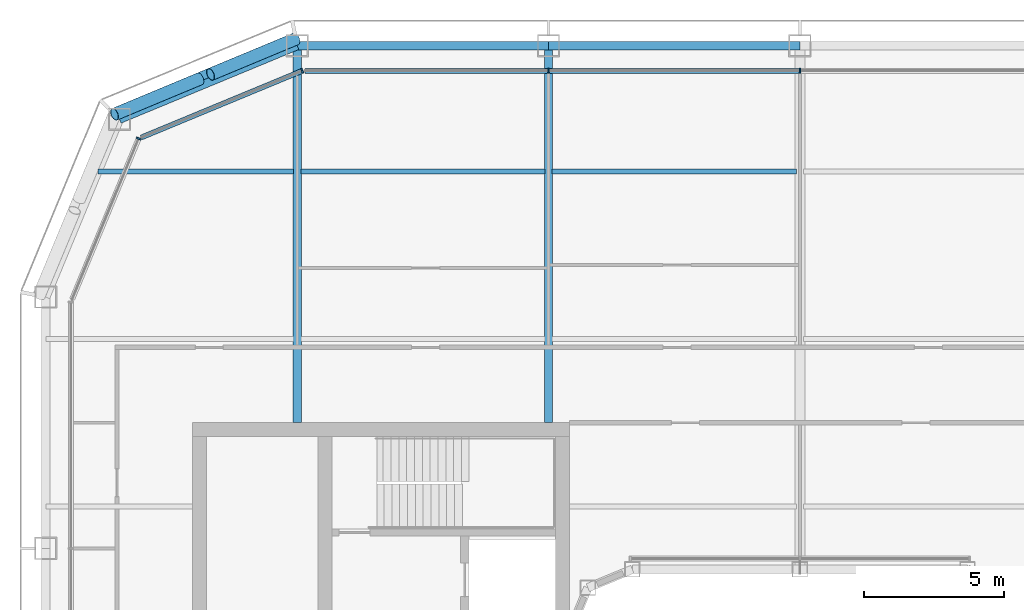
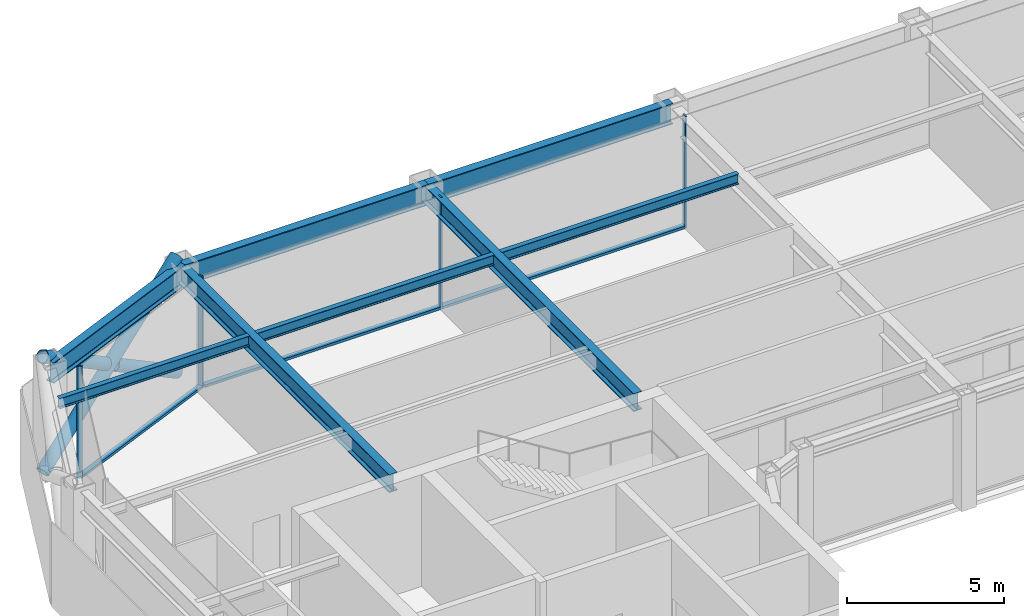
# One storey, part 8 of 19: 10 members, 8 beams, 3 elements without a shape of their own.
"""IFC4 building model written with IfcOpenShell, lengths in metres."""

from ifc_helpers import new_model, si_unit, direction, frame, origin, origin_2d, place, context, subcontext, project, spatial, rectangle, hollow_circle, i_section, extrude, material, layer, layer_set, material_profile, profile_set, type_object, element, aggregate, save


model = new_model("IFC4")

# Units and contexts
model_context = context("Model", 3, precision=1e-05, world=origin(), true_north=direction((0.0, 1.0)))
body_context = subcontext(model_context, "Body", "Model", "MODEL_VIEW")
ifc_project = project(units=[si_unit("LENGTHUNIT", "METRE"), si_unit("AREAUNIT", "SQUARE_METRE"), si_unit("VOLUMEUNIT", "CUBIC_METRE"), si_unit("PLANEANGLEUNIT", "RADIAN"), si_unit("MASSUNIT", "GRAM", prefix="KILO")], contexts=[model_context])

# Site, building, storey
site_placement = place(None, origin())
site = spatial("IfcSite", under=ifc_project, at=site_placement, CompositionType="ELEMENT")
building_placement = place(site_placement, origin())
building = spatial("IfcBuilding", under=site, at=building_placement, Name="Siwar Civic Tower", CompositionType="ELEMENT")
storey_placement = place(building_placement, frame((0.0, 0.0, 264.699951171875)))
storey = spatial("IfcBuildingStorey", under=building, at=storey_placement, Name="L57", CompositionType="ELEMENT", Elevation=264.699951171875)

# Curtain wall, members
ifc_material_1 = material(Name="Aluminium and glass", Category="aluminium")
ifc_layer_1 = layer(ifc_material_1, 0.179931640625)
ifc_layer_set_1 = layer_set([ifc_layer_1], Name="Aluminium and glass")
curtain_wall_type_1 = type_object("IfcCurtainWallType", Name="ENV-CW-C", PredefinedType="NOTDEFINED", material=ifc_layer_set_1)
curtain_wall_1_placement = place(storey_placement, origin())
curtain_wall_1 = element("IfcCurtainWall", 1, at=curtain_wall_1_placement, inside=storey, type_object=curtain_wall_type_1, Name="Curtain wall C N", PredefinedType="NOTDEFINED")
ifc_material_2 = material(Name="Aluminium 6063-T6", Category="aluminium")
ifc_material_profile_1 = material_profile(ifc_material_2, rectangle(XDim=0.179931640625, YDim=0.06005859375, at=origin_2d()), Name="AL 180x60")
ifc_profile_set_1 = profile_set([ifc_material_profile_1], Name="Aluminium 6063-T6")
member_type_1 = type_object("IfcMemberType", Name="ENV-MULLION-C", PredefinedType="MULLION", material=ifc_profile_set_1)
member_1_placement = place(storey_placement, frame((0.0, 26.10009765625, 0.0), z_axis=(0.0, 0.0, 1.0), x_axis=(0.0, -1.0, 0.0)))
member_1 = element("IfcMember", 2, at=member_1_placement, type_object=member_type_1, Name="Mullion C N 3", PredefinedType="MULLION", context=body_context, shape_type="SweptSolid", body=[
    extrude(rectangle(XDim=0.179931640625, YDim=0.06005859375, at=origin_2d()), origin(), (0.0, 0.0, 1.0), 4.35009765625),
])
member_2_placement = place(storey_placement, frame((-9.0, 26.10009765625, 0.0), z_axis=(0.0, 0.0, 1.0), x_axis=(0.0, -1.0, 0.0)))
member_2 = element("IfcMember", 3, at=member_2_placement, type_object=member_type_1, Name="Mullion C N 4", PredefinedType="MULLION", context=body_context, shape_type="SweptSolid", body=[
    extrude(rectangle(XDim=0.179931640625, YDim=0.06005859375, at=origin_2d()), origin(), (0.0, 0.0, 1.0), 4.35009765625),
])

# Curtain wall, member
ifc_material_3 = material(Name="Aluminium clad insulated panel", Category="aluminium")
ifc_layer_2 = layer(ifc_material_3, 0.179931640625)
ifc_layer_set_2 = layer_set([ifc_layer_2], Name="Aluminium clad insulated panel")
curtain_wall_type_2 = type_object("IfcCurtainWallType", Name="ENV-CW-CX", PredefinedType="NOTDEFINED", material=ifc_layer_set_2)
curtain_wall_2_placement = place(storey_placement, origin())
curtain_wall_2 = element("IfcCurtainWall", 4, at=curtain_wall_2_placement, inside=storey, type_object=curtain_wall_type_2, Name="Curtain wall C NW1", PredefinedType="NOTDEFINED")
member_3_placement = place(storey_placement, frame((-17.821044921875, 26.10009765625, 0.0), z_axis=(0.0, 0.0, 1.0), x_axis=(0.382683432365, -0.923879532511, 0.0)))
member_3 = element("IfcMember", 5, at=member_3_placement, type_object=member_type_1, Name="Mullion C NW1 1", PredefinedType="MULLION", context=body_context, shape_type="SweptSolid", body=[
    extrude(rectangle(XDim=0.179931640625, YDim=0.06005859375, at=origin_2d()), origin(), (0.0, 0.0, 1.0), 4.35009765625),
])

curtain_wall_3_placement = place(storey_placement, origin())
curtain_wall_3 = element("IfcCurtainWall", 6, at=curtain_wall_3_placement, inside=storey, type_object=curtain_wall_type_2, Name="Curtain wall C NW2", PredefinedType="NOTDEFINED")
member_4_placement = place(storey_placement, frame((-23.675048828125, 23.675048828125, 0.0), z_axis=(0.0, 0.0, 1.0), x_axis=(0.923879532511, -0.382683432365, 0.0)))
member_4 = element("IfcMember", 7, at=member_4_placement, type_object=member_type_1, Name="Mullion C NW2 1", PredefinedType="MULLION", context=body_context, shape_type="SweptSolid", body=[
    extrude(rectangle(XDim=0.179931640625, YDim=0.06005859375, at=origin_2d()), origin(), (0.0, 0.0, 1.0), 4.35009765625),
])
aggregate(curtain_wall_3, [member_4])

# Member
ifc_material_4 = material(Name="Aluminium 6063-T6", Category="aluminium")
ifc_material_profile_2 = material_profile(ifc_material_4, rectangle(XDim=0.179931640625, YDim=0.10009765625, at=origin_2d()), Name="AL 180x100")
ifc_profile_set_2 = profile_set([ifc_material_profile_2], Name="Aluminium 6063-T6")
member_type_2 = type_object("IfcMemberType", Name="ENV-TRANSOM-C", PredefinedType="USERDEFINED", material=ifc_profile_set_2)
member_5_placement = place(storey_placement, frame((-0.030029296875, 26.10009765625, 0.050048828125), z_axis=(-1.0, 0.0, 0.0), x_axis=(0.0, -1.0, 0.0)))
member_5 = element("IfcMember", 8, at=member_5_placement, type_object=member_type_2, Name="Transom C N 3", ObjectType="TRANSOM", PredefinedType="USERDEFINED", context=body_context, shape_type="SweptSolid", body=[
    extrude(rectangle(XDim=0.179931640625, YDim=0.10009765625, at=origin_2d()), origin(), (0.0, 0.0, 1.0), 8.93994140625),
])

member_6_placement = place(storey_placement, frame((-9.030029296875, 26.10009765625, 0.050048828125), z_axis=(-1.0, 0.0, 0.0), x_axis=(0.0, -1.0, 0.0)))
member_6 = element("IfcMember", 9, at=member_6_placement, type_object=member_type_2, Name="Transom C N 4", ObjectType="TRANSOM", PredefinedType="USERDEFINED", context=body_context, shape_type="SweptSolid", body=[
    extrude(rectangle(XDim=0.179931640625, YDim=0.10009765625, at=origin_2d()), origin(), (0.0, 0.0, 1.0), 8.68603515625),
])

aggregate(curtain_wall_1, [member_1, member_2, member_5, member_6])

member_7_placement = place(storey_placement, frame((-17.8486328125, 26.088623046875, 0.050048828125), z_axis=(-0.923882011223, -0.38267744817, 0.0), x_axis=(0.38267744817, -0.923882011223, 0.0)))
member_7 = element("IfcMember", 10, at=member_7_placement, type_object=member_type_2, Name="Transom C NW1 1", ObjectType="TRANSOM", PredefinedType="USERDEFINED", context=body_context, shape_type="SweptSolid", body=[
    extrude(rectangle(XDim=0.179931640625, YDim=0.10009765625, at=origin_2d()), origin(), (0.0, 0.0, 1.0), 6.201904296875),
])

aggregate(curtain_wall_2, [member_3, member_7])

# Members
ifc_material_5 = material(Name="Steel S355", Category="steel")
ifc_material_profile_3 = material_profile(ifc_material_5, hollow_circle(Radius=0.228515625, WallThickness=0.02001953125, at=origin_2d()), Name="CHS457x20")
ifc_profile_set_3 = profile_set([ifc_material_profile_3], Name="Steel S355")
member_type_3 = type_object("IfcMemberType", Name="STR-BR-CHS457x20", PredefinedType="BRACE", material=ifc_profile_set_3)
member_8_placement = place(storey_placement, frame((-24.540771484375, 24.540771484375, 0.0), z_axis=(0.777554562952, 0.323905527954, 0.538975055633), x_axis=(-0.384538969033, 0.923108759191, 0.0)))
element("IfcMember", 11, at=member_8_placement, inside=storey, type_object=member_type_3, Name="L57/brc/CNW1-17-0-0", PredefinedType="BRACE", context=body_context, shape_type="SweptSolid", body=[
    extrude(hollow_circle(Radius=0.228515625, WallThickness=0.02001953125, at=origin_2d()), origin(), (0.0, 0.0, 1.0), 8.34912109375),
])
for number, where, z_axis, x_axis, name in (
    (12, (-18.048828125, 27.2451171875, 0.0), (-0.777546448489, -0.323884455881, 0.538999424564), (0.38452107079, -0.92311621485, 0.0), "L57/brc/CNW1-17-0-4"),
    (13, (-21.486572265625, 25.81298828125, 2.383056640625), (-0.777572496853, -0.323895306243, 0.538955325357), (0.38452107079, -0.92311621485, 0.0), "L57/brc/CNW1-17-0-5"),
):
    element("IfcMember", number, at=place(storey_placement, frame(where, z_axis=z_axis, x_axis=x_axis)), inside=storey, type_object=member_type_3, Name=name, PredefinedType="BRACE", context=body_context, shape_type="SweptSolid", body=[
        extrude(hollow_circle(Radius=0.228515625, WallThickness=0.02001953125, at=origin_2d()), origin(), (0.0, 0.0, 1.0), 3.927978515625),
    ])

# Beams
ifc_material_6 = material(Name="Steel S355", Category="steel")
ifc_material_profile_4 = material_profile(ifc_material_6, i_section(OverallWidth=0.179931640625, OverallDepth=0.39990234375, WebThickness=0.008544921875, FlangeThickness=0.013427734375, FilletRadius=0.02099609375, at=origin_2d()), Name="IPE400")
ifc_profile_set_4 = profile_set([ifc_material_profile_4], Name="Steel S355")
beam_type_1 = type_object("IfcBeamType", Name="STR-FB-IPE400", PredefinedType="JOIST", material=ifc_profile_set_4)
beam_1_placement = place(storey_placement, frame((-25.135986328125, 22.5, 4.150146484375), z_axis=(1.0, 0.0, 0.0), x_axis=(0.0, 1.0, 0.0)))
element("IfcBeam", 14, at=beam_1_placement, inside=storey, type_object=beam_type_1, Name="L57/bm/F037", PredefinedType="JOIST", context=body_context, shape_type="SweptSolid", body=[
    extrude(i_section(OverallWidth=0.179931640625, OverallDepth=0.39990234375, WebThickness=0.008544921875, FlangeThickness=0.013427734375, FilletRadius=0.02099609375, at=origin_2d()), origin(), (0.0, 0.0, 1.0), 7.006103515625),
])
for number, where, z_axis, x_axis, name in (
    (15, (-17.8701171875, 22.5, 4.150146484375), (1.0, 0.0, 0.0), (0.0, 1.0, 0.0), "L57/bm/F038"),
    (16, (-8.8701171875, 22.5, 4.150146484375), (1.0, 0.0, 0.0), (0.0, 1.0, 0.0), "L57/bm/F039"),
):
    element("IfcBeam", number, at=place(storey_placement, frame(where, z_axis=z_axis, x_axis=x_axis)), inside=storey, type_object=beam_type_1, Name=name, PredefinedType="JOIST", context=body_context, shape_type="SweptSolid", body=[
        extrude(i_section(OverallWidth=0.179931640625, OverallDepth=0.39990234375, WebThickness=0.008544921875, FlangeThickness=0.013427734375, FilletRadius=0.02099609375, at=origin_2d()), origin(), (0.0, 0.0, 1.0), 8.740234375),
    ])
ifc_material_7 = material(Name="Steel S355", Category="steel")
ifc_material_profile_5 = material_profile(ifc_material_7, i_section(OverallWidth=0.300048828125, OverallDepth=0.699951171875, WebThickness=0.01708984375, FlangeThickness=0.031982421875, FilletRadius=0.027099609375, at=origin_2d()), Name="HEB700")
ifc_profile_set_5 = profile_set([ifc_material_profile_5], Name="Steel S355")
beam_type_2 = type_object("IfcBeamType", Name="STR-PG-HEB700", PredefinedType="BEAM", material=ifc_profile_set_5)
for number, where, z_axis, x_axis, name in (
    (17, (-18.0, 13.5, 4.0), (0.0, 1.0, 0.0), (-1.0, 0.0, 0.0), "L57/bm/G02"),
    (18, (-9.0, 13.5, 4.0), (0.0, 1.0, 0.0), (-1.0, 0.0, 0.0), "L57/bm/G04"),
):
    element("IfcBeam", number, at=place(storey_placement, frame(where, z_axis=z_axis, x_axis=x_axis)), inside=storey, type_object=beam_type_2, Name=name, PredefinedType="BEAM", context=body_context, shape_type="SweptSolid", body=[
        extrude(i_section(OverallWidth=0.300048828125, OverallDepth=0.699951171875, WebThickness=0.01708984375, FlangeThickness=0.031982421875, FilletRadius=0.027099609375, at=origin_2d()), origin(), (0.0, 0.0, 1.0), 13.5),
    ])
ifc_material_8 = material(Name="Steel S355", Category="steel")
ifc_material_profile_6 = material_profile(ifc_material_8, i_section(OverallWidth=0.300048828125, OverallDepth=0.800048828125, WebThickness=0.017578125, FlangeThickness=0.032958984375, FilletRadius=0.030029296875, at=origin_2d()), Name="HEB800")
ifc_profile_set_6 = profile_set([ifc_material_profile_6], Name="Steel S355")
beam_type_3 = type_object("IfcBeamType", Name="STR-SB-HEB800", PredefinedType="BEAM", material=ifc_profile_set_6)
for number, where, z_axis, x_axis, name in (
    (19, (0.0, 27.0, 3.949951171875), (-1.0, 0.0, 0.0), (0.0, -1.0, 0.0), "L57/bm/SN-2"),
    (20, (-9.0, 27.0, 3.949951171875), (-1.0, 0.0, 0.0), (0.0, -1.0, 0.0), "L57/bm/SN-3"),
):
    element("IfcBeam", number, at=place(storey_placement, frame(where, z_axis=z_axis, x_axis=x_axis)), inside=storey, type_object=beam_type_3, Name=name, PredefinedType="BEAM", context=body_context, shape_type="SweptSolid", body=[
        extrude(i_section(OverallWidth=0.300048828125, OverallDepth=0.800048828125, WebThickness=0.017578125, FlangeThickness=0.032958984375, FilletRadius=0.030029296875, at=origin_2d()), origin(), (0.0, 0.0, 1.0), 9.0),
    ])
beam_2_placement = place(storey_placement, frame((-18.0, 27.0, 3.949951171875), z_axis=(-0.923883353507, -0.382674207535, 0.0), x_axis=(0.382674207535, -0.923883353507, 0.0)))
element("IfcBeam", 21, at=beam_2_placement, inside=storey, type_object=beam_type_3, Name="L57/bm/SNW1-0", PredefinedType="BEAM", context=body_context, shape_type="SweptSolid", body=[
    extrude(i_section(OverallWidth=0.300048828125, OverallDepth=0.800048828125, WebThickness=0.017578125, FlangeThickness=0.032958984375, FilletRadius=0.030029296875, at=origin_2d()), origin(), (0.0, 0.0, 1.0), 6.888427734375),
])

save(model, "model.ifc")
